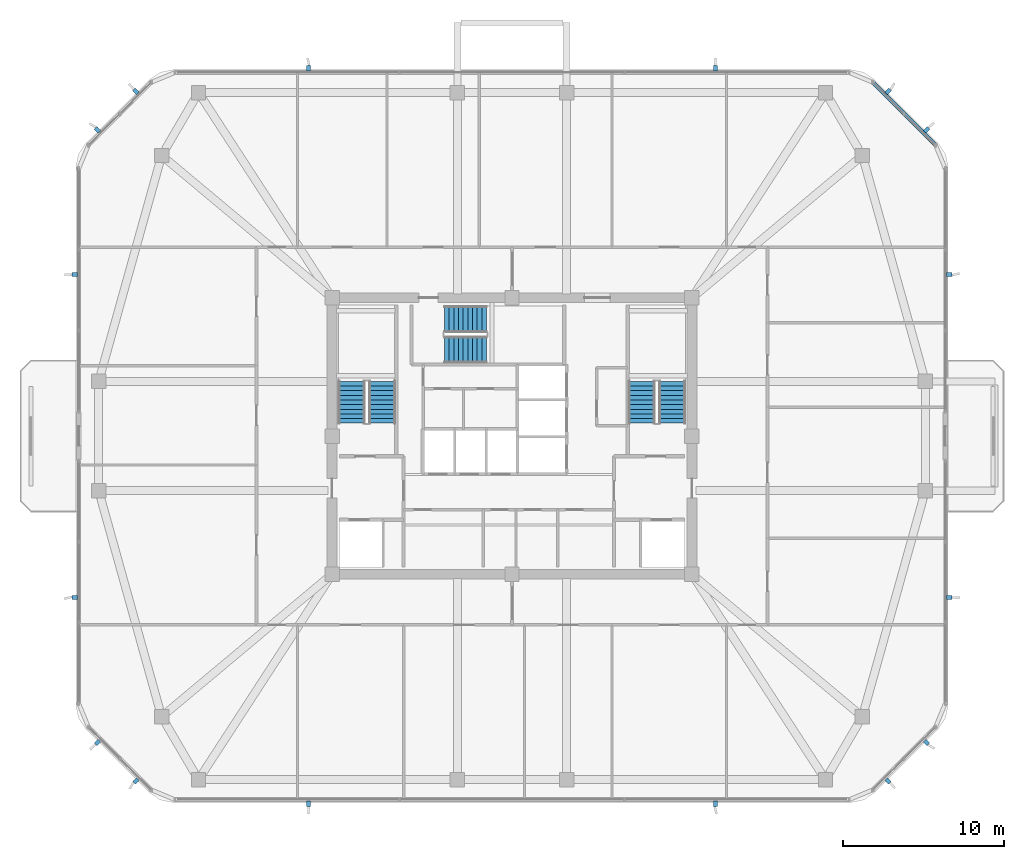
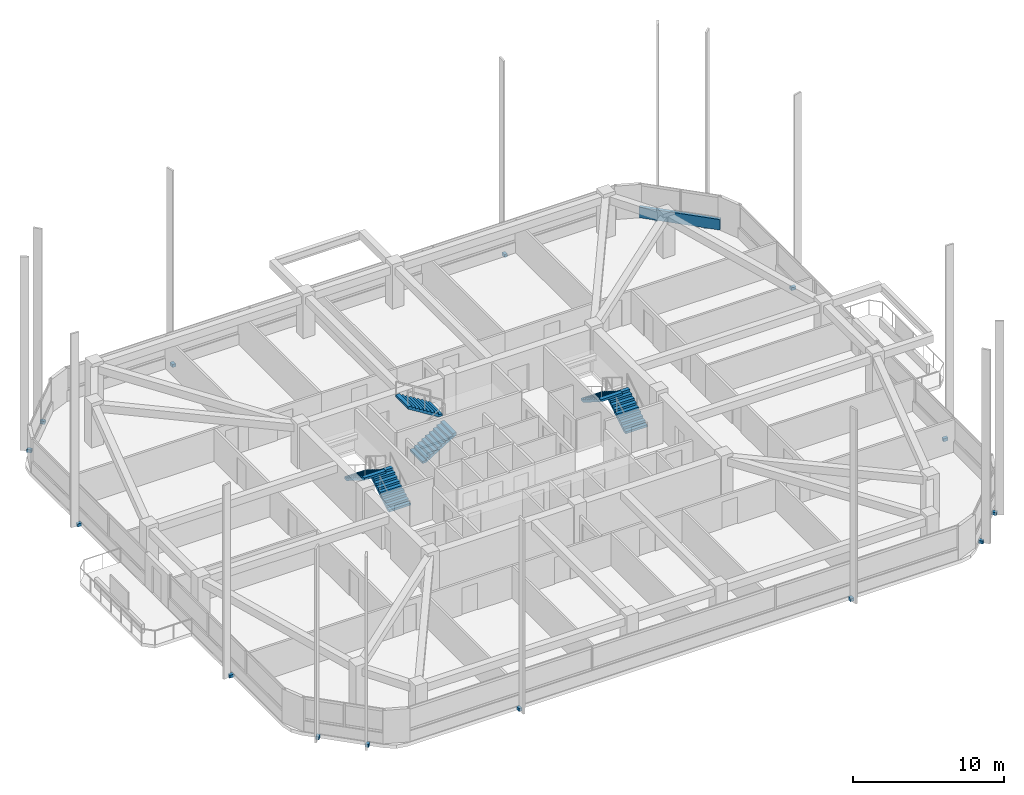
# One storey, part 13 of 17: 16 discrete accessories, 6 stair flights, 1 wall, 3 elements without a shape of their own.
"""IFC4 building model written with IfcOpenShell, lengths in metres."""

from ifc_helpers import new_model, si_unit, derived_unit, direction, frame, frame_2d, origin, origin_2d, place, context, subcontext, project, spatial, polyline, rectangle, outline, extrude, material, layer, layer_set, type_object, element, aggregate, save


model = new_model("IFC4")

# Units and contexts
model_context = context("Model", 3, precision=1e-05, world=origin(), true_north=direction((0.0, 1.0)))
body_context = subcontext(model_context, "Body", "Model", "MODEL_VIEW")
ifc_project = project(units=[si_unit("LENGTHUNIT", "METRE"), si_unit("AREAUNIT", "SQUARE_METRE"), si_unit("VOLUMEUNIT", "CUBIC_METRE"), si_unit("PLANEANGLEUNIT", "RADIAN"), si_unit("MASSUNIT", "GRAM", prefix="KILO"), derived_unit("THERMALTRANSMITTANCEUNIT", [(si_unit("POWERUNIT", "WATT"), 1), (si_unit("LENGTHUNIT", "METRE"), -2), (si_unit("THERMODYNAMICTEMPERATUREUNIT", "KELVIN"), -1)])], contexts=[model_context])

# Site, building, storey
site_placement = place(None, origin())
site = spatial("IfcSite", under=ifc_project, at=site_placement, CompositionType="ELEMENT")
building_placement = place(site_placement, origin())
building = spatial("IfcBuilding", under=site, at=building_placement, Name="Koralith Skygarden Medical Center", CompositionType="ELEMENT")
storey_placement = place(building_placement, frame((0.0, 0.0, 221.580078125)))
storey = spatial("IfcBuildingStorey", under=building, at=storey_placement, Name="L57", CompositionType="ELEMENT", Elevation=221.580078125)

# Wall
ifc_material_1 = material(Name="Warm Oolitic Limestone Cladding", Category="masonry")
ifc_layer = layer(ifc_material_1, 0.239990234375)
ifc_layer_set = layer_set([ifc_layer], Name="Warm Oolitic Limestone Cladding")
wall_type = type_object("IfcWallType", Name="Limestone Spandrel Sill Backup Wall 240", PredefinedType="SOLIDWALL", material=ifc_layer_set)
wall_placement = place(storey_placement, frame((63.361083984375, 43.99609375, 0.0), z_axis=(0.0, 0.0, 1.0), x_axis=(-0.707128783731, 0.707084777957, 0.0)))
element("IfcWall", 1, at=wall_placement, inside=storey, type_object=wall_type, Name="L57 Sill Spandrel NE", PredefinedType="SOLIDWALL", context=body_context, shape_type="SweptSolid", body=[
    extrude(rectangle(XDim=5.5478515625, YDim=0.239990234375, at=frame_2d((2.77392578125, 0.0))), origin(), (0.0, 0.0, 1.0), 0.849853515625),
])

# Stair, stair flights
ifc_material_2 = material(Name="Concrete C45/55", Category="concrete")
stair_type = type_object("IfcStairType", Name="Core Exit Dogleg Concrete Stair", PredefinedType="HALF_TURN_STAIR", material=ifc_material_2)
stair_1_placement = place(storey_placement, origin())
stair_1 = element("IfcStair", 2, at=stair_1_placement, inside=storey, type_object=stair_type, Name="L57 Smokeproof Exit Stair ST1", PredefinedType="HALF_TURN_STAIR")
stair_flight_type = type_object("IfcStairFlightType", Name="Core Exit Concrete Stair Flight 1650", PredefinedType="STRAIGHT", material=ifc_material_2)
stair_flight_1_placement = place(storey_placement, frame((28.925048828125, 26.699951171875, 0.0), z_axis=(0.0, 0.0, 1.0), x_axis=(0.0, 1.0, 0.0)))
stair_flight_1 = element("IfcStairFlight", 3, at=stair_flight_1_placement, type_object=stair_flight_type, Name="ST1 flight 1", NumberOfRisers=10, NumberOfTreads=9, PredefinedType="STRAIGHT", RiserHeight=0.18, TreadLength=0.29, context=body_context, shape_type="SweptSolid", body=[
    extrude(outline(polyline([(0.0, 0.0), (0.0, 0.179931640625), (0.2900390625, 0.179931640625), (0.2900390625, 0.360107421875), (0.580078125, 0.360107421875), (0.580078125, 0.5400390625), (0.8701171875, 0.5400390625), (0.8701171875, 0.719970703125), (1.159912109375, 0.719970703125), (1.159912109375, 0.89990234375), (1.449951171875, 0.89990234375), (1.449951171875, 1.080078125), (1.739990234375, 1.080078125), (1.739990234375, 1.260009765625), (2.030029296875, 1.260009765625), (2.030029296875, 1.43994140625), (2.320068359375, 1.43994140625), (2.320068359375, 1.6201171875), (2.610107421875, 1.6201171875), (2.610107421875, 1.800048828125), (2.610107421875, 1.443603515625), (0.2841796875, 0.0), (0.0, 0.0)])), frame((0.0, 0.824951171875, 0.0), z_axis=(0.0, -1.0, 0.0), x_axis=(1.0, 0.0, 0.0)), (0.0, 0.0, 1.0), 1.64990234375),
])
stair_flight_2_placement = place(storey_placement, frame((27.02490234375, 29.31005859375, 1.7998046875), z_axis=(0.0, 0.0, 1.0), x_axis=(0.0, -1.0, 0.0)))
stair_flight_2 = element("IfcStairFlight", 4, at=stair_flight_2_placement, type_object=stair_flight_type, Name="ST1 flight 2", NumberOfRisers=10, NumberOfTreads=9, PredefinedType="STRAIGHT", RiserHeight=0.18, TreadLength=0.29, context=body_context, shape_type="SweptSolid", body=[
    extrude(outline(polyline([(0.0, 0.0), (0.0, 0.179931640625), (0.2900390625, 0.179931640625), (0.2900390625, 0.360107421875), (0.580078125, 0.360107421875), (0.580078125, 0.5400390625), (0.8701171875, 0.5400390625), (0.8701171875, 0.719970703125), (1.159912109375, 0.719970703125), (1.159912109375, 0.89990234375), (1.449951171875, 0.89990234375), (1.449951171875, 1.080078125), (1.739990234375, 1.080078125), (1.739990234375, 1.260009765625), (2.030029296875, 1.260009765625), (2.030029296875, 1.43994140625), (2.320068359375, 1.43994140625), (2.320068359375, 1.6201171875), (2.610107421875, 1.6201171875), (2.610107421875, 1.800048828125), (2.610107421875, 1.443603515625), (0.2841796875, 0.0), (0.0, 0.0)])), frame((0.0, 0.824951171875, 0.0), z_axis=(0.0, -1.0, 0.0), x_axis=(1.0, 0.0, 0.0)), (0.0, 0.0, 1.0), 1.64990234375),
])
aggregate(stair_1, [stair_flight_1, stair_flight_2])

stair_2_placement = place(storey_placement, origin())
stair_2 = element("IfcStair", 5, at=stair_2_placement, inside=storey, type_object=stair_type, Name="L57 Smokeproof Exit Stair ST2", PredefinedType="HALF_TURN_STAIR")
stair_flight_3_placement = place(storey_placement, frame((46.97509765625, 26.699951171875, 0.0), z_axis=(0.0, 0.0, 1.0), x_axis=(0.0, 1.0, 0.0)))
stair_flight_3 = element("IfcStairFlight", 6, at=stair_flight_3_placement, type_object=stair_flight_type, Name="ST2 flight 1", NumberOfRisers=10, NumberOfTreads=9, PredefinedType="STRAIGHT", RiserHeight=0.18, TreadLength=0.29, context=body_context, shape_type="SweptSolid", body=[
    extrude(outline(polyline([(0.0, 0.0), (0.0, 0.179931640625), (0.2900390625, 0.179931640625), (0.2900390625, 0.360107421875), (0.580078125, 0.360107421875), (0.580078125, 0.5400390625), (0.8701171875, 0.5400390625), (0.8701171875, 0.719970703125), (1.159912109375, 0.719970703125), (1.159912109375, 0.89990234375), (1.449951171875, 0.89990234375), (1.449951171875, 1.080078125), (1.739990234375, 1.080078125), (1.739990234375, 1.260009765625), (2.030029296875, 1.260009765625), (2.030029296875, 1.43994140625), (2.320068359375, 1.43994140625), (2.320068359375, 1.6201171875), (2.610107421875, 1.6201171875), (2.610107421875, 1.800048828125), (2.610107421875, 1.443603515625), (0.2841796875, 0.0), (0.0, 0.0)])), frame((0.0, 0.824951171875, 0.0), z_axis=(0.0, -1.0, 0.0), x_axis=(1.0, 0.0, 0.0)), (0.0, 0.0, 1.0), 1.64990234375),
])
stair_flight_4_placement = place(storey_placement, frame((45.074951171875, 29.31005859375, 1.7998046875), z_axis=(0.0, 0.0, 1.0), x_axis=(0.0, -1.0, 0.0)))
stair_flight_4 = element("IfcStairFlight", 7, at=stair_flight_4_placement, type_object=stair_flight_type, Name="ST2 flight 2", NumberOfRisers=10, NumberOfTreads=9, PredefinedType="STRAIGHT", RiserHeight=0.18, TreadLength=0.29, context=body_context, shape_type="SweptSolid", body=[
    extrude(outline(polyline([(0.0, 0.0), (0.0, 0.179931640625), (0.2900390625, 0.179931640625), (0.2900390625, 0.360107421875), (0.580078125, 0.360107421875), (0.580078125, 0.5400390625), (0.8701171875, 0.5400390625), (0.8701171875, 0.719970703125), (1.159912109375, 0.719970703125), (1.159912109375, 0.89990234375), (1.449951171875, 0.89990234375), (1.449951171875, 1.080078125), (1.739990234375, 1.080078125), (1.739990234375, 1.260009765625), (2.030029296875, 1.260009765625), (2.030029296875, 1.43994140625), (2.320068359375, 1.43994140625), (2.320068359375, 1.6201171875), (2.610107421875, 1.6201171875), (2.610107421875, 1.800048828125), (2.610107421875, 1.443603515625), (0.2841796875, 0.0), (0.0, 0.0)])), frame((0.0, 0.824951171875, 0.0), z_axis=(0.0, -1.0, 0.0), x_axis=(1.0, 0.0, 0.0)), (0.0, 0.0, 1.0), 1.64990234375),
])
aggregate(stair_2, [stair_flight_3, stair_flight_4])

stair_3_placement = place(storey_placement, origin())
stair_3 = element("IfcStair", 8, at=stair_3_placement, inside=storey, type_object=stair_type, Name="L57 Smokeproof Exit Stair ST3", PredefinedType="HALF_TURN_STAIR")
stair_flight_5_placement = place(storey_placement, frame((32.800048828125, 31.27490234375, 0.0), z_axis=(0.0, 0.0, 1.0), x_axis=(1.0, 0.0, 0.0)))
stair_flight_5 = element("IfcStairFlight", 9, at=stair_flight_5_placement, type_object=stair_flight_type, Name="ST3 flight 1", NumberOfRisers=10, NumberOfTreads=9, PredefinedType="STRAIGHT", RiserHeight=0.18, TreadLength=0.29, context=body_context, shape_type="SweptSolid", body=[
    extrude(outline(polyline([(0.0, 0.0), (0.0, 0.179931640625), (0.2900390625, 0.179931640625), (0.2900390625, 0.360107421875), (0.580078125, 0.360107421875), (0.580078125, 0.5400390625), (0.8701171875, 0.5400390625), (0.8701171875, 0.719970703125), (1.159912109375, 0.719970703125), (1.159912109375, 0.89990234375), (1.449951171875, 0.89990234375), (1.449951171875, 1.080078125), (1.739990234375, 1.080078125), (1.739990234375, 1.260009765625), (2.030029296875, 1.260009765625), (2.030029296875, 1.43994140625), (2.320068359375, 1.43994140625), (2.320068359375, 1.6201171875), (2.610107421875, 1.6201171875), (2.610107421875, 1.800048828125), (2.610107421875, 1.443603515625), (0.2841796875, 0.0), (0.0, 0.0)])), frame((0.0, 0.824951171875, 0.0), z_axis=(0.0, -1.0, 0.0), x_axis=(1.0, 0.0, 0.0)), (0.0, 0.0, 1.0), 1.64990234375),
])
stair_flight_6_placement = place(storey_placement, frame((35.409912109375, 33.175048828125, 1.7998046875), z_axis=(0.0, 0.0, 1.0), x_axis=(-1.0, 0.0, 0.0)))
stair_flight_6 = element("IfcStairFlight", 10, at=stair_flight_6_placement, type_object=stair_flight_type, Name="ST3 flight 2", NumberOfRisers=10, NumberOfTreads=9, PredefinedType="STRAIGHT", RiserHeight=0.18, TreadLength=0.29, context=body_context, shape_type="SweptSolid", body=[
    extrude(outline(polyline([(0.0, 0.0), (0.0, 0.179931640625), (0.2900390625, 0.179931640625), (0.2900390625, 0.360107421875), (0.580078125, 0.360107421875), (0.580078125, 0.5400390625), (0.8701171875, 0.5400390625), (0.8701171875, 0.719970703125), (1.159912109375, 0.719970703125), (1.159912109375, 0.89990234375), (1.449951171875, 0.89990234375), (1.449951171875, 1.080078125), (1.739990234375, 1.080078125), (1.739990234375, 1.260009765625), (2.030029296875, 1.260009765625), (2.030029296875, 1.43994140625), (2.320068359375, 1.43994140625), (2.320068359375, 1.6201171875), (2.610107421875, 1.6201171875), (2.610107421875, 1.800048828125), (2.610107421875, 1.443603515625), (0.2841796875, 0.0), (0.0, 0.0)])), frame((0.0, 0.824951171875, 0.0), z_axis=(0.0, -1.0, 0.0), x_axis=(1.0, 0.0, 0.0)), (0.0, 0.0, 1.0), 1.64990234375),
])
aggregate(stair_3, [stair_flight_5, stair_flight_6])

# Discrete accessories
ifc_material_3 = material(Name="Steel ASTM A572 Grade 50", Category="steel")
discrete_accessory_type = type_object("IfcDiscreteAccessoryType", Name="Facade Fin Structural Anchor Bracket", PredefinedType="BRACKET", material=ifc_material_3)
for number, where, z_axis, x_axis, name in (
    (11, (24.344970703125, 3.02001953125, -0.26025390625), (0.0, 0.0, 1.0), (0.0, -1.0, 0.0), "L57 S Solar Fin Anchor Bracket 1"),
    (12, (49.655029296875, 3.02001953125, -0.26025390625), (0.0, 0.0, 1.0), (0.0, -1.0, 0.0), "L57 S Solar Fin Anchor Bracket 2"),
    (13, (60.39990234375, 4.444091796875, -0.26025390625), (0.0, 0.0, 1.0), (0.707106781187, -0.707106781187, 0.0), "L57 SE Solar Fin Anchor Bracket 1"),
    (14, (62.798095703125, 6.842041015625, -0.26025390625), (0.0, 0.0, 1.0), (0.707106781187, -0.707106781187, 0.0), "L57 SE Solar Fin Anchor Bracket 2"),
    (15, (64.221923828125, 15.85009765625, -0.26025390625), (0.0, 0.0, 1.0), (1.0, 0.0, 0.0), "L57 E Solar Fin Anchor Bracket 1"),
    (16, (64.221923828125, 35.949951171875, -0.26025390625), (0.0, 0.0, 1.0), (1.0, 0.0, 0.0), "L57 E Solar Fin Anchor Bracket 2"),
    (17, (62.798095703125, 44.9580078125, -0.26025390625), (0.0, 0.0, 1.0), (0.707106781187, 0.707106781187, 0.0), "L57 NE Solar Fin Anchor Bracket 1"),
    (18, (60.39990234375, 47.35595703125, -0.26025390625), (0.0, 0.0, 1.0), (0.707106781187, 0.707106781187, 0.0), "L57 NE Solar Fin Anchor Bracket 2"),
    (19, (49.655029296875, 48.780029296875, -0.26025390625), (0.0, 0.0, 1.0), (0.0, 1.0, 0.0), "L57 N Solar Fin Anchor Bracket 1"),
    (20, (24.344970703125, 48.780029296875, -0.26025390625), (0.0, 0.0, 1.0), (0.0, 1.0, 0.0), "L57 N Solar Fin Anchor Bracket 2"),
    (21, (13.60009765625, 47.35595703125, -0.26025390625), (0.0, 0.0, 1.0), (-0.707106781187, 0.707106781187, 0.0), "L57 NW Solar Fin Anchor Bracket 1"),
    (22, (11.201904296875, 44.9580078125, -0.26025390625), (0.0, 0.0, 1.0), (-0.707106781187, 0.707106781187, 0.0), "L57 NW Solar Fin Anchor Bracket 2"),
    (23, (9.778076171875, 35.949951171875, -0.26025390625), (0.0, 0.0, 1.0), (-1.0, 0.0, 0.0), "L57 W Solar Fin Anchor Bracket 1"),
    (24, (9.778076171875, 15.85009765625, -0.26025390625), (0.0, 0.0, 1.0), (-1.0, 0.0, 0.0), "L57 W Solar Fin Anchor Bracket 2"),
    (25, (11.201904296875, 6.842041015625, -0.26025390625), (0.0, 0.0, 1.0), (-0.707106781187, -0.707106781187, 0.0), "L57 SW Solar Fin Anchor Bracket 1"),
    (26, (13.60009765625, 4.444091796875, -0.26025390625), (0.0, 0.0, 1.0), (-0.707106781187, -0.707106781187, 0.0), "L57 SW Solar Fin Anchor Bracket 2"),
):
    element("IfcDiscreteAccessory", number, at=place(storey_placement, frame(where, z_axis=z_axis, x_axis=x_axis)), inside=storey, type_object=discrete_accessory_type, Name=name, PredefinedType="BRACKET", context=body_context, shape_type="SweptSolid", body=[
        extrude(rectangle(XDim=0.340087890625, YDim=0.239990234375, at=origin_2d()), origin(), (0.0, 0.0, 1.0), 0.239990234375),
    ])

save(model, "model.ifc")
